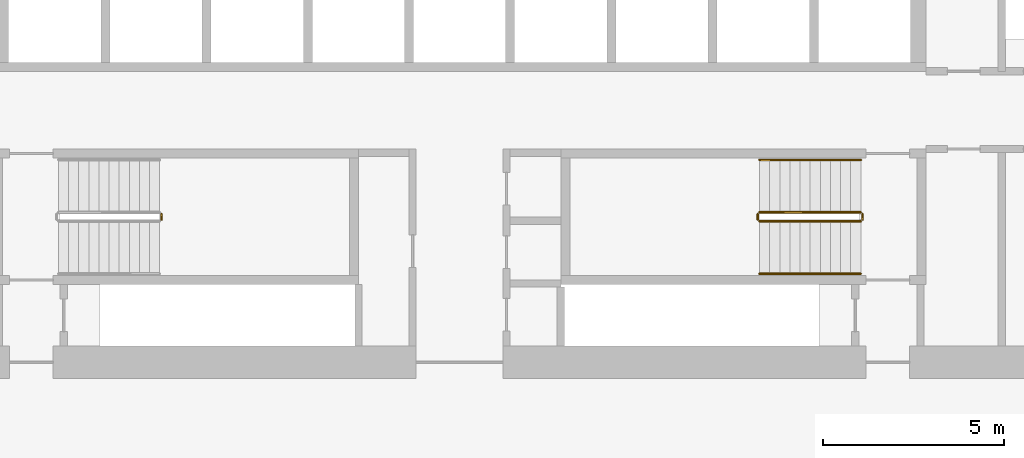
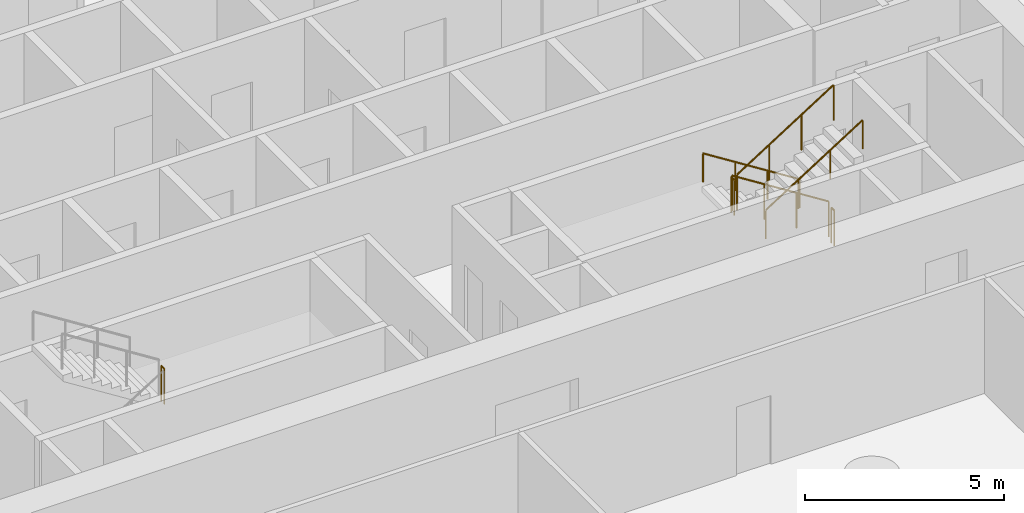
# One storey, part 13 of 18: 7 railings.
"""IFC4 building model written with IfcOpenShell, lengths in metres."""

from ifc_helpers import new_model, si_unit, direction, frame, origin, origin_2d, place, context, subcontext, project, spatial, circle, extrude, material, type_object, element, save


model = new_model("IFC4")

# Units and contexts
model_context = context("Model", 3, precision=1e-05, world=origin(), true_north=direction((0.0, 1.0)))
body_context = subcontext(model_context, "Body", "Model", "MODEL_VIEW")
ifc_project = project(units=[si_unit("LENGTHUNIT", "METRE"), si_unit("AREAUNIT", "SQUARE_METRE"), si_unit("VOLUMEUNIT", "CUBIC_METRE"), si_unit("PLANEANGLEUNIT", "RADIAN"), si_unit("MASSUNIT", "GRAM", prefix="KILO")], contexts=[model_context])

# Site, building, storey
site_placement = place(None, origin())
site = spatial("IfcSite", under=ifc_project, at=site_placement, CompositionType="ELEMENT")
building_placement = place(site_placement, origin())
building = spatial("IfcBuilding", under=site, at=building_placement, Name="Dhurran Vertical Campus", CompositionType="ELEMENT")
storey_placement = place(building_placement, frame((0.0, 0.0, 30.0)))
storey = spatial("IfcBuildingStorey", under=building, at=storey_placement, Name="L06", CompositionType="ELEMENT", Elevation=30.0)

# Railings
ifc_material_1 = material(Name="Stainless steel balustrade", Category="steel")
railing_type_1 = type_object("IfcRailingType", Name="co-RL-GUARD-1100", PredefinedType="GUARDRAIL", material=ifc_material_1)
railing_1_placement = place(storey_placement, frame((-8.25, -9.10009765625, 1.949951171875)))
element("IfcRailing", 1, at=railing_1_placement, inside=storey, type_object=railing_type_1, Name="L06 ST3 stair guard 2", PredefinedType="GUARDRAIL", context=body_context, shape_type="SweptSolid", body=[
    extrude(circle(Radius=0.02392578125, at=origin_2d()), frame((0.0, 0.0, 1.076171875), z_axis=(0.0, 1.0, 0.0), x_axis=(-1.0, 0.0, 0.0)), (0.0, 0.0, 1.0), 0.150146484375),
    extrude(circle(Radius=0.02099609375, at=origin_2d()), origin(), (0.0, 0.0, 1.0), 1.052001953125),
    extrude(circle(Radius=0.02099609375, at=origin_2d()), frame((0.0, 0.150146484375, 0.0)), (0.0, 0.0, 1.0), 1.052001953125),
])
railing_2_placement = place(storey_placement, frame((11.10009765625, -8.89990234375, 0.17724609375)))
element("IfcRailing", 2, at=railing_2_placement, inside=storey, type_object=railing_type_1, Name="L06 ST4 stair guard 1", PredefinedType="GUARDRAIL", context=body_context, shape_type="SweptSolid", body=[
    extrude(circle(Radius=0.02392578125, at=origin_2d()), frame((0.0, 0.0, 1.076171875), z_axis=(-0.844908973607, 0.0, 0.534910110503), x_axis=(0.0, -1.0, 0.0)), (0.0, 0.0, 1.0), 3.31396484375),
    extrude(circle(Radius=0.02099609375, at=origin_2d()), origin(), (0.0, 0.0, 1.0), 1.052001953125),
    extrude(circle(Radius=0.02099609375, at=origin_2d()), frame((-0.933349609375, 0.0, 0.5908203125)), (0.0, 0.0, 1.0), 1.052001953125),
    extrude(circle(Radius=0.02099609375, at=origin_2d()), frame((-1.86669921875, 0.0, 1.181884765625)), (0.0, 0.0, 1.0), 1.052001953125),
    extrude(circle(Radius=0.02099609375, at=origin_2d()), frame((-2.800048828125, 0.0, 1.772705078125)), (0.0, 0.0, 1.0), 1.052001953125),
])
railing_3_placement = place(storey_placement, frame((8.25, -8.949951171875, 1.949951171875)))
element("IfcRailing", 3, at=railing_3_placement, inside=storey, type_object=railing_type_1, Name="L06 ST4 stair guard 2", PredefinedType="GUARDRAIL", context=body_context, shape_type="SweptSolid", body=[
    extrude(circle(Radius=0.02392578125, at=origin_2d()), frame((0.0, 0.0, 1.076171875), z_axis=(0.0, -1.0, 0.0), x_axis=(1.0, 0.0, 0.0)), (0.0, 0.0, 1.0), 0.150146484375),
    extrude(circle(Radius=0.02099609375, at=origin_2d()), origin(), (0.0, 0.0, 1.0), 1.052001953125),
    extrude(circle(Radius=0.02099609375, at=origin_2d()), frame((0.0, -0.150146484375, 0.0)), (0.0, 0.0, 1.0), 1.052001953125),
])
railing_4_placement = place(storey_placement, frame((8.300048828125, -9.14990234375, 2.127197265625)))
element("IfcRailing", 4, at=railing_4_placement, inside=storey, type_object=railing_type_1, Name="L06 ST4 stair guard 3", PredefinedType="GUARDRAIL", context=body_context, shape_type="SweptSolid", body=[
    extrude(circle(Radius=0.02392578125, at=origin_2d()), frame((0.0, 0.0, 1.076171875), z_axis=(0.844908973607, 0.0, 0.534910110503), x_axis=(0.0, 1.0, 0.0)), (0.0, 0.0, 1.0), 3.31396484375),
    extrude(circle(Radius=0.02099609375, at=origin_2d()), origin(), (0.0, 0.0, 1.0), 1.052001953125),
    extrude(circle(Radius=0.02099609375, at=origin_2d()), frame((0.933349609375, 0.0, 0.5908203125)), (0.0, 0.0, 1.0), 1.052001953125),
    extrude(circle(Radius=0.02099609375, at=origin_2d()), frame((1.86669921875, 0.0, 1.181884765625)), (0.0, 0.0, 1.0), 1.052001953125),
    extrude(circle(Radius=0.02099609375, at=origin_2d()), frame((2.800048828125, 0.0, 1.772705078125)), (0.0, 0.0, 1.0), 1.052001953125),
])
railing_5_placement = place(storey_placement, frame((11.14990234375, -8.949951171875, 0.0)))
element("IfcRailing", 5, at=railing_5_placement, inside=storey, type_object=railing_type_1, Name="L06 ST4 stair guard 4", PredefinedType="GUARDRAIL", context=body_context, shape_type="SweptSolid", body=[
    extrude(circle(Radius=0.02392578125, at=origin_2d()), frame((0.0, 0.0, 1.076171875), z_axis=(0.0, -1.0, 0.0), x_axis=(1.0, 0.0, 0.0)), (0.0, 0.0, 1.0), 0.150146484375),
    extrude(circle(Radius=0.02099609375, at=origin_2d()), origin(), (0.0, 0.0, 1.0), 1.052001953125),
    extrude(circle(Radius=0.02099609375, at=origin_2d()), frame((0.0, -0.150146484375, 0.0)), (0.0, 0.0, 1.0), 1.052001953125),
])
ifc_material_2 = material(Name="Stainless steel handrail", Category="steel")
railing_type_2 = type_object("IfcRailingType", Name="co-RL-HANDRAIL-900", PredefinedType="HANDRAIL", material=ifc_material_2)
railing_6_placement = place(storey_placement, frame((11.10009765625, -7.449951171875, 0.17724609375)))
element("IfcRailing", 6, at=railing_6_placement, inside=storey, type_object=railing_type_2, Name="L06 ST4 stair handrail 1", PredefinedType="HANDRAIL", context=body_context, shape_type="SweptSolid", body=[
    extrude(circle(Radius=0.02392578125, at=origin_2d()), frame((0.0, 0.0, 0.8759765625), z_axis=(-0.844908973607, 0.0, 0.534910110503), x_axis=(0.0, -1.0, 0.0)), (0.0, 0.0, 1.0), 3.31396484375),
    extrude(circle(Radius=0.02099609375, at=origin_2d()), origin(), (0.0, 0.0, 1.0), 0.851806640625),
    extrude(circle(Radius=0.02099609375, at=origin_2d()), frame((-0.933349609375, 0.0, 0.5908203125)), (0.0, 0.0, 1.0), 0.851806640625),
    extrude(circle(Radius=0.02099609375, at=origin_2d()), frame((-1.86669921875, 0.0, 1.181884765625)), (0.0, 0.0, 1.0), 0.851806640625),
    extrude(circle(Radius=0.02099609375, at=origin_2d()), frame((-2.800048828125, 0.0, 1.772705078125)), (0.0, 0.0, 1.0), 0.851806640625),
])
railing_7_placement = place(storey_placement, frame((8.300048828125, -10.60009765625, 2.127197265625)))
element("IfcRailing", 7, at=railing_7_placement, inside=storey, type_object=railing_type_2, Name="L06 ST4 stair handrail 2", PredefinedType="HANDRAIL", context=body_context, shape_type="SweptSolid", body=[
    extrude(circle(Radius=0.02392578125, at=origin_2d()), frame((0.0, 0.0, 0.8759765625), z_axis=(0.844908973607, 0.0, 0.534910110503), x_axis=(0.0, 1.0, 0.0)), (0.0, 0.0, 1.0), 3.31396484375),
    extrude(circle(Radius=0.02099609375, at=origin_2d()), origin(), (0.0, 0.0, 1.0), 0.851806640625),
    extrude(circle(Radius=0.02099609375, at=origin_2d()), frame((0.933349609375, 0.0, 0.5908203125)), (0.0, 0.0, 1.0), 0.851806640625),
    extrude(circle(Radius=0.02099609375, at=origin_2d()), frame((1.86669921875, 0.0, 1.181884765625)), (0.0, 0.0, 1.0), 0.851806640625),
    extrude(circle(Radius=0.02099609375, at=origin_2d()), frame((2.800048828125, 0.0, 1.772705078125)), (0.0, 0.0, 1.0), 0.851806640625),
])

save(model, "model.ifc")
